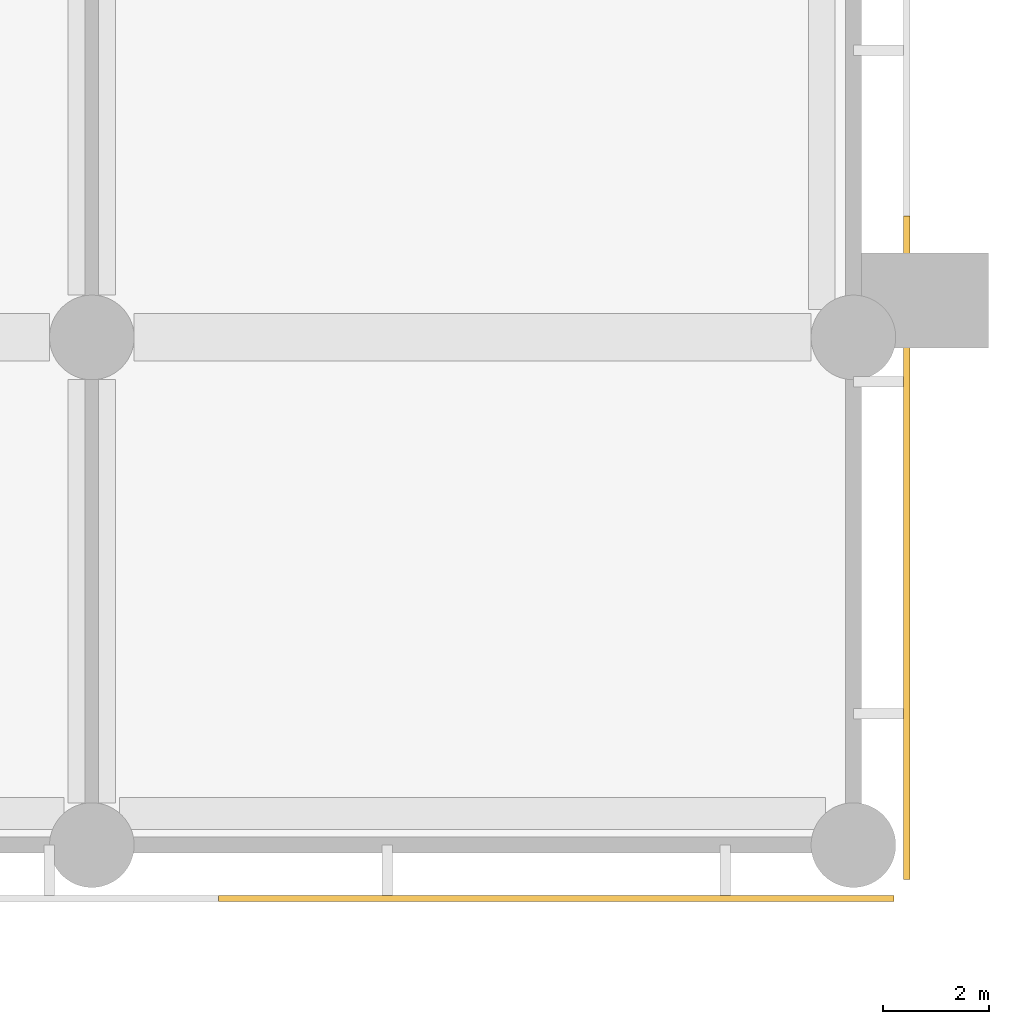
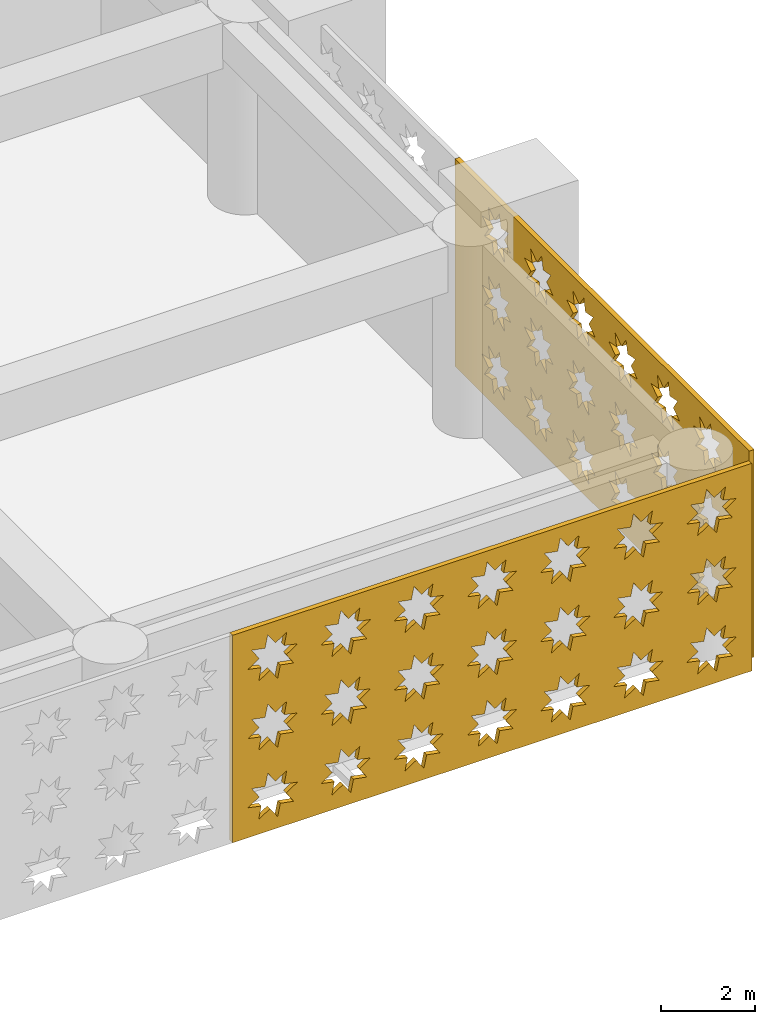
# One storey, part 20 of 30: 2 coverings.
"""IFC4 building model written with IfcOpenShell, lengths in metres."""

import ifcopenshell
import ifcopenshell.guid

model = None  # the IFC model being written
_history = None  # IfcOwnerHistory: only IFC2X3 demands one
_inside = {}  # id of a spatial element -> (the spatial element, [elements in it])
_under = {}  # id of a project, library or spatial element -> (it, [spatial elements below it])
_declared = {}  # id of a project -> (the project, [libraries it declares])
_typed = {}  # id of a type object -> (the type object, [elements of that type])
_made_of = {}  # id of a material, layer set ... -> (it, [elements and type objects made of it])


def new_model(schema):
    """Start an empty IFC model of exactly this schema.

    Asked for "IFC4X3", IfcOpenShell would pick the latest addendum, in which some entities
    have other attributes; the version numbers below select the first issue.
    IFC2X3 requires an IfcOwnerHistory on every rooted entity: one is made here for all.
    """
    global model, _history
    if schema == "IFC4X3":
        model = ifcopenshell.file(schema_version=(4, 3, 0, 0))
    else:
        model = ifcopenshell.file(schema=schema)
    _inside.clear()
    _under.clear()
    _declared.clear()
    _typed.clear()
    _made_of.clear()
    _history = None
    if model.schema == "IFC2X3":
        org = make("IfcOrganization", Name="unknown")
        user = make(
            "IfcPersonAndOrganization",
            ThePerson=make("IfcPerson", FamilyName="unknown"),
            TheOrganization=org,
        )
        app = make(
            "IfcApplication",
            ApplicationDeveloper=org,
            Version="unknown",
            ApplicationFullName="unknown",
            ApplicationIdentifier="unknown",
        )
        _history = make(
            "IfcOwnerHistory",
            OwningUser=user,
            OwningApplication=app,
            ChangeAction="ADDED",
            CreationDate=0,
        )
    return model


def make(cls, **values):
    """One entity of the class cls with the attributes given. An attribute that is None is left unset."""
    return model.create_entity(
        cls, **{name: value for name, value in values.items() if value is not None}
    )


def rooted(cls, **values):
    """An entity with a GlobalId (a new one), such as an element, a storey or a relation."""
    return make(cls, GlobalId=ifcopenshell.guid.new(), OwnerHistory=_history, **values)


def si_unit(unit_type, name, prefix=None):
    """IfcSIUnit, for example si_unit("LENGTHUNIT", "METRE", prefix="MILLI")."""
    return make("IfcSIUnit", UnitType=unit_type, Prefix=prefix, Name=name)


def assignment(units):
    """IfcUnitAssignment: the units of a project."""
    return None if units is None else make("IfcUnitAssignment", Units=units)


def point(xyz):
    """IfcCartesianPoint."""
    return None if xyz is None else make("IfcCartesianPoint", Coordinates=xyz)


def direction(xyz):
    """IfcDirection."""
    return None if xyz is None else make("IfcDirection", DirectionRatios=xyz)


def frame(location, z_axis=None, x_axis=None):
    """IfcAxis2Placement3D, a coordinate frame: its origin and axes. An axis left out is left unset."""
    return make(
        "IfcAxis2Placement3D",
        Location=point(location),
        Axis=direction(z_axis),
        RefDirection=direction(x_axis),
    )


def origin():
    """The frame at (0, 0, 0) with its axes left unset."""
    return frame((0.0, 0.0, 0.0))


def place(relative_to, where):
    """IfcLocalPlacement: puts the frame where relative to a parent placement (None: the world)."""
    return make(
        "IfcLocalPlacement", PlacementRelTo=relative_to, RelativePlacement=where
    )


def context(
    kind, dimensions, precision=None, world=None, true_north=None, identifier=None
):
    """IfcGeometricRepresentationContext, for example the 3D "Model" context."""
    return make(
        "IfcGeometricRepresentationContext",
        ContextIdentifier=identifier,
        ContextType=kind,
        CoordinateSpaceDimension=dimensions,
        Precision=precision,
        WorldCoordinateSystem=world,
        TrueNorth=true_north,
    )


def subcontext(parent, identifier, kind, view, scale=None):
    """IfcGeometricRepresentationSubContext, for example "Body" below "Model"."""
    return make(
        "IfcGeometricRepresentationSubContext",
        ContextIdentifier=identifier,
        ContextType=kind,
        ParentContext=parent,
        TargetScale=scale,
        TargetView=view,
    )


def project(units=None, contexts=None):
    """IfcProject with its units and contexts."""
    return rooted(
        "IfcProject",
        Name="project",
        RepresentationContexts=contexts,
        UnitsInContext=assignment(units),
    )


def spatial(cls, under=None, at=None, **own):
    """A site, building, storey or space (cls), placed at a placement, below another one or the project."""
    s = rooted(cls, ObjectPlacement=at, **own)
    if under is not None:
        _under.setdefault(under.id(), (under, []))[1].append(s)
    return s


def polyline(points):
    """IfcPolyline through the points."""
    return make("IfcPolyline", Points=[point(p) for p in points])


def outline(outer, holes=None, kind="AREA"):
    """IfcArbitraryClosedProfileDef: a profile drawn as a closed curve; with holes, ...WithVoids."""
    if holes is None:
        return make("IfcArbitraryClosedProfileDef", ProfileType=kind, OuterCurve=outer)
    return make(
        "IfcArbitraryProfileDefWithVoids",
        ProfileType=kind,
        OuterCurve=outer,
        InnerCurves=holes,
    )


def extrude(swept, where, along, depth):
    """IfcExtrudedAreaSolid: the profile swept, set in the frame where, extruded along a direction by depth."""
    return make(
        "IfcExtrudedAreaSolid",
        SweptArea=swept,
        Position=where,
        ExtrudedDirection=direction(along),
        Depth=depth,
    )


def shape(context_of_items, identifier, shape_type, items):
    """IfcShapeRepresentation: the items that make up one representation, for example the "Body"."""
    return make(
        "IfcShapeRepresentation",
        ContextOfItems=context_of_items,
        RepresentationIdentifier=identifier,
        RepresentationType=shape_type,
        Items=items,
    )


def material(Name=None, Category=None):
    """IfcMaterial."""
    return make("IfcMaterial", Name=Name, Category=Category)


def layer(
    of_material, thickness, ventilated=None, Name=None, Category=None, Priority=None
):
    """IfcMaterialLayer: one layer of a wall or slab, of a material (None: an air gap)."""
    return make(
        "IfcMaterialLayer",
        Material=of_material,
        LayerThickness=thickness,
        IsVentilated=ventilated,
        Name=Name,
        Category=Category,
        Priority=Priority,
    )


def layer_set(layers, Name=None):
    """IfcMaterialLayerSet."""
    return make("IfcMaterialLayerSet", MaterialLayers=layers, LayerSetName=Name)


def made_of(thing, what):
    """Note that an element or type object is made of a material, layer set ...; save() writes the relation."""
    if what is not None:
        _made_of.setdefault(what.id(), (what, []))[1].append(thing)
    return thing


def type_object(cls, material=None, **own):
    """A type object (cls), such as IfcWallType, which elements share."""
    return made_of(rooted(cls, **own), material)


def element(
    cls,
    number,
    at=None,
    inside=None,
    cuts=None,
    type_object=None,
    material=None,
    context=None,
    identifier="Body",
    shape_type=None,
    held_by="IfcProductDefinitionShape",
    body=None,
    shapes=None,
    **own,
):
    """One element of the class cls, such as IfcWall. Its Tag is "e" and its number.

    at: its placement. inside: the storey or other place that contains it. cuts: it is an
    opening in that element (IfcRelVoidsElement). A single representation is given by context,
    identifier, shape_type and body (its items); several are given by shapes. held_by: the class
    of the entity that holds the representations. save() writes the other relations.
    """
    e = rooted(cls, Tag="e%d" % number, ObjectPlacement=at, **own)
    if body is not None:
        shapes = [shape(context, identifier, shape_type, body)]
    if shapes is not None:
        e.Representation = make(held_by, Representations=shapes)
    if inside is not None:
        _inside.setdefault(inside.id(), (inside, []))[1].append(e)
    if cuts is not None:
        rooted(
            "IfcRelVoidsElement", RelatingBuildingElement=cuts, RelatedOpeningElement=e
        )
    if type_object is not None:
        _typed.setdefault(type_object.id(), (type_object, []))[1].append(e)
    return made_of(e, material)


def aggregate(whole, parts):
    """IfcRelAggregates: a whole, such as a stair, and the parts it consists of."""
    return rooted("IfcRelAggregates", RelatingObject=whole, RelatedObjects=parts)


def save(model, path):
    """Write the relations noted so far, then the file.

    IfcRelAggregates (storeys below a building ...), IfcRelContainedInSpatialStructure (elements
    in a storey), IfcRelDefinesByType, IfcRelAssociatesMaterial and IfcRelDeclares: one each for
    every whole, place, type object, material and project.
    """
    for whole, parts in _under.values():
        aggregate(whole, parts)
    for where, things in _inside.values():
        rooted(
            "IfcRelContainedInSpatialStructure",
            RelatedElements=things,
            RelatingStructure=where,
        )
    for kind, things in _typed.values():
        rooted("IfcRelDefinesByType", RelatedObjects=things, RelatingType=kind)
    for what, things in _made_of.values():
        rooted("IfcRelAssociatesMaterial", RelatedObjects=things, RelatingMaterial=what)
    for by, libraries in _declared.values():
        rooted("IfcRelDeclares", RelatingContext=by, RelatedDefinitions=libraries)
    model.write(path)


model = new_model("IFC4")

# Units and contexts
model_context = context("Model", 3, precision=1e-05, world=origin(), true_north=direction((0.0, 1.0)))
body_context = subcontext(model_context, "Body", "Model", "MODEL_VIEW")
ifc_project = project(units=[si_unit("LENGTHUNIT", "METRE"), si_unit("AREAUNIT", "SQUARE_METRE"), si_unit("VOLUMEUNIT", "CUBIC_METRE"), si_unit("PLANEANGLEUNIT", "RADIAN"), si_unit("MASSUNIT", "GRAM", prefix="KILO")], contexts=[model_context])

# Site, building, storey
site_placement = place(None, origin())
site = spatial("IfcSite", under=ifc_project, at=site_placement, CompositionType="ELEMENT")
building_placement = place(site_placement, origin())
building = spatial("IfcBuilding", under=site, at=building_placement, Name="Saffron Iwan Residences", CompositionType="ELEMENT")
storey_placement = place(building_placement, frame((0.0, 0.0, 7.800048828125)))
storey = spatial("IfcBuildingStorey", under=building, at=storey_placement, Name="L01", CompositionType="ELEMENT", Elevation=7.800048828125)

# Coverings
ifc_material = material(Name="Terracotta screen, precast concrete C40/50", Category="masonry")
ifc_layer = layer(ifc_material, 0.1201171875)
ifc_layer_set = layer_set([ifc_layer], Name="Terracotta screen, precast concrete C40/50")
covering_type = type_object("IfcCoveringType", Name="PODIUM SCREEN GIRIH", PredefinedType="CLADDING", material=ifc_layer_set)
covering_1_placement = place(storey_placement, frame((88.79248046875, -0.949951171875, -0.400146484375), z_axis=(0.0, -1.0, 0.0), x_axis=(1.0, 0.0, 0.0)))
element("IfcCovering", 1, at=covering_1_placement, inside=storey, type_object=covering_type, Name="SCREEN girih terracotta L01 F0.7", PredefinedType="CLADDING", context=body_context, shape_type="SweptSolid", body=[
    extrude(outline(polyline([(0.0, 0.0), (12.777587890625, 0.0), (12.777587890625, 5.39990234375), (0.0, 5.39990234375), (0.0, 0.0)]), holes=[polyline([(1.5966796875, 1.02099609375), (1.271484375, 1.0888671875), (1.333251953125, 1.41552734375), (1.05517578125, 1.2333984375), (0.867919921875, 1.508056640625), (0.7998046875, 1.1826171875), (0.47314453125, 1.244384765625), (0.6552734375, 0.96630859375), (0.380615234375, 0.779052734375), (0.7060546875, 0.711181640625), (0.644287109375, 0.384521484375), (0.92236328125, 0.56640625), (1.109619140625, 0.2919921875), (1.177490234375, 0.6171875), (1.50439453125, 0.555419921875), (1.322265625, 0.833740234375), (1.5966796875, 1.02099609375)]), polyline([(1.5966796875, 2.821044921875), (1.271484375, 2.888916015625), (1.333251953125, 3.215576171875), (1.05517578125, 3.033447265625), (0.867919921875, 3.30810546875), (0.7998046875, 2.982666015625), (0.47314453125, 3.04443359375), (0.6552734375, 2.766357421875), (0.380615234375, 2.5791015625), (0.7060546875, 2.510986328125), (0.644287109375, 2.1845703125), (0.92236328125, 2.366455078125), (1.109619140625, 2.091796875), (1.177490234375, 2.417236328125), (1.50439453125, 2.35546875), (1.322265625, 2.6337890625), (1.5966796875, 2.821044921875)]), polyline([(1.5966796875, 4.62109375), (1.271484375, 4.68896484375), (1.333251953125, 5.015380859375), (1.05517578125, 4.83349609375), (0.867919921875, 5.108154296875), (0.7998046875, 4.78271484375), (0.47314453125, 4.844482421875), (0.6552734375, 4.56640625), (0.380615234375, 4.37890625), (0.7060546875, 4.31103515625), (0.644287109375, 3.984619140625), (0.92236328125, 4.16650390625), (1.109619140625, 3.891845703125), (1.177490234375, 4.21728515625), (1.50439453125, 4.155517578125), (1.322265625, 4.43359375), (1.5966796875, 4.62109375)]), polyline([(3.396728515625, 1.02099609375), (3.0712890625, 1.0888671875), (3.13330078125, 1.41552734375), (2.85498046875, 1.2333984375), (2.667724609375, 1.508056640625), (2.599853515625, 1.1826171875), (2.273193359375, 1.244384765625), (2.455322265625, 0.96630859375), (2.1806640625, 0.779052734375), (2.506103515625, 0.711181640625), (2.4443359375, 0.384521484375), (2.722412109375, 0.56640625), (2.90966796875, 0.2919921875), (2.9775390625, 0.6171875), (3.30419921875, 0.555419921875), (3.122314453125, 0.833740234375), (3.396728515625, 1.02099609375)]), polyline([(3.396728515625, 2.821044921875), (3.0712890625, 2.888916015625), (3.13330078125, 3.215576171875), (2.85498046875, 3.033447265625), (2.667724609375, 3.30810546875), (2.599853515625, 2.982666015625), (2.273193359375, 3.04443359375), (2.455322265625, 2.766357421875), (2.1806640625, 2.5791015625), (2.506103515625, 2.510986328125), (2.4443359375, 2.1845703125), (2.722412109375, 2.366455078125), (2.90966796875, 2.091796875), (2.9775390625, 2.417236328125), (3.30419921875, 2.35546875), (3.122314453125, 2.6337890625), (3.396728515625, 2.821044921875)]), polyline([(3.396728515625, 4.62109375), (3.0712890625, 4.68896484375), (3.13330078125, 5.015380859375), (2.85498046875, 4.83349609375), (2.667724609375, 5.108154296875), (2.599853515625, 4.78271484375), (2.273193359375, 4.844482421875), (2.455322265625, 4.56640625), (2.1806640625, 4.37890625), (2.506103515625, 4.31103515625), (2.4443359375, 3.984619140625), (2.722412109375, 4.16650390625), (2.90966796875, 3.891845703125), (2.9775390625, 4.21728515625), (3.30419921875, 4.155517578125), (3.122314453125, 4.43359375), (3.396728515625, 4.62109375)]), polyline([(5.19677734375, 1.02099609375), (4.871337890625, 1.0888671875), (4.93310546875, 1.41552734375), (4.655029296875, 1.2333984375), (4.4677734375, 1.508056640625), (4.39990234375, 1.1826171875), (4.0732421875, 1.244384765625), (4.25537109375, 0.96630859375), (3.980712890625, 0.779052734375), (4.30615234375, 0.711181640625), (4.244384765625, 0.384521484375), (4.5224609375, 0.56640625), (4.709716796875, 0.2919921875), (4.777587890625, 0.6171875), (5.104248046875, 0.555419921875), (4.922119140625, 0.833740234375), (5.19677734375, 1.02099609375)]), polyline([(5.19677734375, 2.821044921875), (4.871337890625, 2.888916015625), (4.93310546875, 3.215576171875), (4.655029296875, 3.033447265625), (4.4677734375, 3.30810546875), (4.39990234375, 2.982666015625), (4.0732421875, 3.04443359375), (4.25537109375, 2.766357421875), (3.980712890625, 2.5791015625), (4.30615234375, 2.510986328125), (4.244384765625, 2.1845703125), (4.5224609375, 2.366455078125), (4.709716796875, 2.091796875), (4.777587890625, 2.417236328125), (5.104248046875, 2.35546875), (4.922119140625, 2.6337890625), (5.19677734375, 2.821044921875)]), polyline([(5.19677734375, 4.62109375), (4.871337890625, 4.68896484375), (4.93310546875, 5.015380859375), (4.655029296875, 4.83349609375), (4.4677734375, 5.108154296875), (4.39990234375, 4.78271484375), (4.0732421875, 4.844482421875), (4.25537109375, 4.56640625), (3.980712890625, 4.37890625), (4.30615234375, 4.31103515625), (4.244384765625, 3.984619140625), (4.5224609375, 4.16650390625), (4.709716796875, 3.891845703125), (4.777587890625, 4.21728515625), (5.104248046875, 4.155517578125), (4.922119140625, 4.43359375), (5.19677734375, 4.62109375)]), polyline([(6.996826171875, 1.02099609375), (6.67138671875, 1.0888671875), (6.733154296875, 1.41552734375), (6.455078125, 1.2333984375), (6.267822265625, 1.508056640625), (6.199951171875, 1.1826171875), (5.873291015625, 1.244384765625), (6.055419921875, 0.96630859375), (5.78076171875, 0.779052734375), (6.106201171875, 0.711181640625), (6.044189453125, 0.384521484375), (6.322509765625, 0.56640625), (6.509765625, 0.2919921875), (6.57763671875, 0.6171875), (6.904296875, 0.555419921875), (6.72216796875, 0.833740234375), (6.996826171875, 1.02099609375)]), polyline([(6.996826171875, 2.821044921875), (6.67138671875, 2.888916015625), (6.733154296875, 3.215576171875), (6.455078125, 3.033447265625), (6.267822265625, 3.30810546875), (6.199951171875, 2.982666015625), (5.873291015625, 3.04443359375), (6.055419921875, 2.766357421875), (5.78076171875, 2.5791015625), (6.106201171875, 2.510986328125), (6.044189453125, 2.1845703125), (6.322509765625, 2.366455078125), (6.509765625, 2.091796875), (6.57763671875, 2.417236328125), (6.904296875, 2.35546875), (6.72216796875, 2.6337890625), (6.996826171875, 2.821044921875)]), polyline([(6.996826171875, 4.62109375), (6.67138671875, 4.68896484375), (6.733154296875, 5.015380859375), (6.455078125, 4.83349609375), (6.267822265625, 5.108154296875), (6.199951171875, 4.78271484375), (5.873291015625, 4.844482421875), (6.055419921875, 4.56640625), (5.78076171875, 4.37890625), (6.106201171875, 4.31103515625), (6.044189453125, 3.984619140625), (6.322509765625, 4.16650390625), (6.509765625, 3.891845703125), (6.57763671875, 4.21728515625), (6.904296875, 4.155517578125), (6.72216796875, 4.43359375), (6.996826171875, 4.62109375)]), polyline([(8.796875, 1.02099609375), (8.471435546875, 1.0888671875), (8.533203125, 1.41552734375), (8.255126953125, 1.2333984375), (8.06787109375, 1.508056640625), (8.0, 1.1826171875), (7.673095703125, 1.244384765625), (7.855224609375, 0.96630859375), (7.580810546875, 0.779052734375), (7.906005859375, 0.711181640625), (7.84423828125, 0.384521484375), (8.122314453125, 0.56640625), (8.309814453125, 0.2919921875), (8.377685546875, 0.6171875), (8.704345703125, 0.555419921875), (8.522216796875, 0.833740234375), (8.796875, 1.02099609375)]), polyline([(8.796875, 2.821044921875), (8.471435546875, 2.888916015625), (8.533203125, 3.215576171875), (8.255126953125, 3.033447265625), (8.06787109375, 3.30810546875), (8.0, 2.982666015625), (7.673095703125, 3.04443359375), (7.855224609375, 2.766357421875), (7.580810546875, 2.5791015625), (7.906005859375, 2.510986328125), (7.84423828125, 2.1845703125), (8.122314453125, 2.366455078125), (8.309814453125, 2.091796875), (8.377685546875, 2.417236328125), (8.704345703125, 2.35546875), (8.522216796875, 2.6337890625), (8.796875, 2.821044921875)]), polyline([(8.796875, 4.62109375), (8.471435546875, 4.68896484375), (8.533203125, 5.015380859375), (8.255126953125, 4.83349609375), (8.06787109375, 5.108154296875), (8.0, 4.78271484375), (7.673095703125, 4.844482421875), (7.855224609375, 4.56640625), (7.580810546875, 4.37890625), (7.906005859375, 4.31103515625), (7.84423828125, 3.984619140625), (8.122314453125, 4.16650390625), (8.309814453125, 3.891845703125), (8.377685546875, 4.21728515625), (8.704345703125, 4.155517578125), (8.522216796875, 4.43359375), (8.796875, 4.62109375)]), polyline([(10.5966796875, 1.02099609375), (10.271484375, 1.0888671875), (10.333251953125, 1.41552734375), (10.05517578125, 1.2333984375), (9.867919921875, 1.508056640625), (9.7998046875, 1.1826171875), (9.47314453125, 1.244384765625), (9.6552734375, 0.96630859375), (9.380615234375, 0.779052734375), (9.7060546875, 0.711181640625), (9.644287109375, 0.384521484375), (9.92236328125, 0.56640625), (10.109619140625, 0.2919921875), (10.177490234375, 0.6171875), (10.50439453125, 0.555419921875), (10.322265625, 0.833740234375), (10.5966796875, 1.02099609375)]), polyline([(10.5966796875, 2.821044921875), (10.271484375, 2.888916015625), (10.333251953125, 3.215576171875), (10.05517578125, 3.033447265625), (9.867919921875, 3.30810546875), (9.7998046875, 2.982666015625), (9.47314453125, 3.04443359375), (9.6552734375, 2.766357421875), (9.380615234375, 2.5791015625), (9.7060546875, 2.510986328125), (9.644287109375, 2.1845703125), (9.92236328125, 2.366455078125), (10.109619140625, 2.091796875), (10.177490234375, 2.417236328125), (10.50439453125, 2.35546875), (10.322265625, 2.6337890625), (10.5966796875, 2.821044921875)]), polyline([(10.5966796875, 4.62109375), (10.271484375, 4.68896484375), (10.333251953125, 5.015380859375), (10.05517578125, 4.83349609375), (9.867919921875, 5.108154296875), (9.7998046875, 4.78271484375), (9.47314453125, 4.844482421875), (9.6552734375, 4.56640625), (9.380615234375, 4.37890625), (9.7060546875, 4.31103515625), (9.644287109375, 3.984619140625), (9.92236328125, 4.16650390625), (10.109619140625, 3.891845703125), (10.177490234375, 4.21728515625), (10.50439453125, 4.155517578125), (10.322265625, 4.43359375), (10.5966796875, 4.62109375)]), polyline([(12.396728515625, 1.02099609375), (12.0712890625, 1.0888671875), (12.13330078125, 1.41552734375), (11.85498046875, 1.2333984375), (11.667724609375, 1.508056640625), (11.599853515625, 1.1826171875), (11.273193359375, 1.244384765625), (11.455322265625, 0.96630859375), (11.1806640625, 0.779052734375), (11.506103515625, 0.711181640625), (11.4443359375, 0.384521484375), (11.722412109375, 0.56640625), (11.90966796875, 0.2919921875), (11.9775390625, 0.6171875), (12.30419921875, 0.555419921875), (12.122314453125, 0.833740234375), (12.396728515625, 1.02099609375)]), polyline([(12.396728515625, 2.821044921875), (12.0712890625, 2.888916015625), (12.13330078125, 3.215576171875), (11.85498046875, 3.033447265625), (11.667724609375, 3.30810546875), (11.599853515625, 2.982666015625), (11.273193359375, 3.04443359375), (11.455322265625, 2.766357421875), (11.1806640625, 2.5791015625), (11.506103515625, 2.510986328125), (11.4443359375, 2.1845703125), (11.722412109375, 2.366455078125), (11.90966796875, 2.091796875), (11.9775390625, 2.417236328125), (12.30419921875, 2.35546875), (12.122314453125, 2.6337890625), (12.396728515625, 2.821044921875)]), polyline([(12.396728515625, 4.62109375), (12.0712890625, 4.68896484375), (12.13330078125, 5.015380859375), (11.85498046875, 4.83349609375), (11.667724609375, 5.108154296875), (11.599853515625, 4.78271484375), (11.273193359375, 4.844482421875), (11.455322265625, 4.56640625), (11.1806640625, 4.37890625), (11.506103515625, 4.31103515625), (11.4443359375, 3.984619140625), (11.722412109375, 4.16650390625), (11.90966796875, 3.891845703125), (11.9775390625, 4.21728515625), (12.30419921875, 4.155517578125), (12.122314453125, 4.43359375), (12.396728515625, 4.62109375)])]), origin(), (0.0, 0.0, 1.0), 0.1201171875),
])
covering_2_placement = place(storey_placement, frame((101.75, -0.64990234375, -0.400146484375), z_axis=(1.0, 0.0, 0.0), x_axis=(0.0, 1.0, 0.0)))
element("IfcCovering", 2, at=covering_2_placement, inside=storey, type_object=covering_type, Name="SCREEN girih terracotta L01 F1.0", PredefinedType="CLADDING", context=body_context, shape_type="SweptSolid", body=[
    extrude(outline(polyline([(0.0, 0.0), (12.545654296875, 0.0), (12.545654296875, 5.39990234375), (0.0, 5.39990234375), (0.0, 0.0)]), holes=[polyline([(2.380859375, 1.02099609375), (2.0556640625, 1.0888671875), (2.1171875, 1.41552734375), (1.839111328125, 1.2333984375), (1.65185546875, 1.508056640625), (1.583984375, 1.1826171875), (1.25732421875, 1.244384765625), (1.439453125, 0.96630859375), (1.164794921875, 0.779052734375), (1.490234375, 0.711181640625), (1.428466796875, 0.384521484375), (1.70654296875, 0.56640625), (1.893798828125, 0.2919921875), (1.9619140625, 0.6171875), (2.288330078125, 0.555419921875), (2.106201171875, 0.833740234375), (2.380859375, 1.02099609375)]), polyline([(2.380859375, 2.821044921875), (2.0556640625, 2.888916015625), (2.1171875, 3.215576171875), (1.839111328125, 3.033447265625), (1.65185546875, 3.30810546875), (1.583984375, 2.982666015625), (1.25732421875, 3.04443359375), (1.439453125, 2.766357421875), (1.164794921875, 2.5791015625), (1.490234375, 2.510986328125), (1.428466796875, 2.1845703125), (1.70654296875, 2.366455078125), (1.893798828125, 2.091796875), (1.9619140625, 2.417236328125), (2.288330078125, 2.35546875), (2.106201171875, 2.6337890625), (2.380859375, 2.821044921875)]), polyline([(2.380859375, 4.62109375), (2.0556640625, 4.68896484375), (2.1171875, 5.015380859375), (1.839111328125, 4.83349609375), (1.65185546875, 5.108154296875), (1.583984375, 4.78271484375), (1.25732421875, 4.844482421875), (1.439453125, 4.56640625), (1.164794921875, 4.37890625), (1.490234375, 4.31103515625), (1.428466796875, 3.984619140625), (1.70654296875, 4.16650390625), (1.893798828125, 3.891845703125), (1.9619140625, 4.21728515625), (2.288330078125, 4.155517578125), (2.106201171875, 4.43359375), (2.380859375, 4.62109375)]), polyline([(4.180908203125, 1.02099609375), (3.855712890625, 1.0888671875), (3.917236328125, 1.41552734375), (3.63916015625, 1.2333984375), (3.451904296875, 1.508056640625), (3.384033203125, 1.1826171875), (3.057373046875, 1.244384765625), (3.239501953125, 0.96630859375), (2.96484375, 0.779052734375), (3.290283203125, 0.711181640625), (3.228515625, 0.384521484375), (3.506591796875, 0.56640625), (3.69384765625, 0.2919921875), (3.76171875, 0.6171875), (4.08837890625, 0.555419921875), (3.90625, 0.833740234375), (4.180908203125, 1.02099609375)]), polyline([(4.180908203125, 2.821044921875), (3.855712890625, 2.888916015625), (3.917236328125, 3.215576171875), (3.63916015625, 3.033447265625), (3.451904296875, 3.30810546875), (3.384033203125, 2.982666015625), (3.057373046875, 3.04443359375), (3.239501953125, 2.766357421875), (2.96484375, 2.5791015625), (3.290283203125, 2.510986328125), (3.228515625, 2.1845703125), (3.506591796875, 2.366455078125), (3.69384765625, 2.091796875), (3.76171875, 2.417236328125), (4.08837890625, 2.35546875), (3.90625, 2.6337890625), (4.180908203125, 2.821044921875)]), polyline([(4.180908203125, 4.62109375), (3.855712890625, 4.68896484375), (3.917236328125, 5.015380859375), (3.63916015625, 4.83349609375), (3.451904296875, 5.108154296875), (3.384033203125, 4.78271484375), (3.057373046875, 4.844482421875), (3.239501953125, 4.56640625), (2.96484375, 4.37890625), (3.290283203125, 4.31103515625), (3.228515625, 3.984619140625), (3.506591796875, 4.16650390625), (3.69384765625, 3.891845703125), (3.76171875, 4.21728515625), (4.08837890625, 4.155517578125), (3.90625, 4.43359375), (4.180908203125, 4.62109375)]), polyline([(5.98095703125, 1.02099609375), (5.655517578125, 1.0888671875), (5.71728515625, 1.41552734375), (5.439208984375, 1.2333984375), (5.251953125, 1.508056640625), (5.18408203125, 1.1826171875), (4.857421875, 1.244384765625), (5.039306640625, 0.96630859375), (4.764892578125, 0.779052734375), (5.090087890625, 0.711181640625), (5.0283203125, 0.384521484375), (5.306396484375, 0.56640625), (5.493896484375, 0.2919921875), (5.561767578125, 0.6171875), (5.888427734375, 0.555419921875), (5.706298828125, 0.833740234375), (5.98095703125, 1.02099609375)]), polyline([(5.98095703125, 2.821044921875), (5.655517578125, 2.888916015625), (5.71728515625, 3.215576171875), (5.439208984375, 3.033447265625), (5.251953125, 3.30810546875), (5.18408203125, 2.982666015625), (4.857421875, 3.04443359375), (5.039306640625, 2.766357421875), (4.764892578125, 2.5791015625), (5.090087890625, 2.510986328125), (5.0283203125, 2.1845703125), (5.306396484375, 2.366455078125), (5.493896484375, 2.091796875), (5.561767578125, 2.417236328125), (5.888427734375, 2.35546875), (5.706298828125, 2.6337890625), (5.98095703125, 2.821044921875)]), polyline([(5.98095703125, 4.62109375), (5.655517578125, 4.68896484375), (5.71728515625, 5.015380859375), (5.439208984375, 4.83349609375), (5.251953125, 5.108154296875), (5.18408203125, 4.78271484375), (4.857421875, 4.844482421875), (5.039306640625, 4.56640625), (4.764892578125, 4.37890625), (5.090087890625, 4.31103515625), (5.0283203125, 3.984619140625), (5.306396484375, 4.16650390625), (5.493896484375, 3.891845703125), (5.561767578125, 4.21728515625), (5.888427734375, 4.155517578125), (5.706298828125, 4.43359375), (5.98095703125, 4.62109375)]), polyline([(7.781005859375, 1.02099609375), (7.45556640625, 1.0888671875), (7.517333984375, 1.41552734375), (7.2392578125, 1.2333984375), (7.052001953125, 1.508056640625), (6.98388671875, 1.1826171875), (6.6572265625, 1.244384765625), (6.83935546875, 0.96630859375), (6.564697265625, 0.779052734375), (6.89013671875, 0.711181640625), (6.828369140625, 0.384521484375), (7.1064453125, 0.56640625), (7.293701171875, 0.2919921875), (7.36181640625, 0.6171875), (7.6884765625, 0.555419921875), (7.50634765625, 0.833740234375), (7.781005859375, 1.02099609375)]), polyline([(7.781005859375, 2.821044921875), (7.45556640625, 2.888916015625), (7.517333984375, 3.215576171875), (7.2392578125, 3.033447265625), (7.052001953125, 3.30810546875), (6.98388671875, 2.982666015625), (6.6572265625, 3.04443359375), (6.83935546875, 2.766357421875), (6.564697265625, 2.5791015625), (6.89013671875, 2.510986328125), (6.828369140625, 2.1845703125), (7.1064453125, 2.366455078125), (7.293701171875, 2.091796875), (7.36181640625, 2.417236328125), (7.6884765625, 2.35546875), (7.50634765625, 2.6337890625), (7.781005859375, 2.821044921875)]), polyline([(7.781005859375, 4.62109375), (7.45556640625, 4.68896484375), (7.517333984375, 5.015380859375), (7.2392578125, 4.83349609375), (7.052001953125, 5.108154296875), (6.98388671875, 4.78271484375), (6.6572265625, 4.844482421875), (6.83935546875, 4.56640625), (6.564697265625, 4.37890625), (6.89013671875, 4.31103515625), (6.828369140625, 3.984619140625), (7.1064453125, 4.16650390625), (7.293701171875, 3.891845703125), (7.36181640625, 4.21728515625), (7.6884765625, 4.155517578125), (7.50634765625, 4.43359375), (7.781005859375, 4.62109375)]), polyline([(9.580810546875, 1.02099609375), (9.255615234375, 1.0888671875), (9.3173828125, 1.41552734375), (9.039306640625, 1.2333984375), (8.851806640625, 1.508056640625), (8.783935546875, 1.1826171875), (8.457275390625, 1.244384765625), (8.639404296875, 0.96630859375), (8.36474609375, 0.779052734375), (8.690185546875, 0.711181640625), (8.62841796875, 0.384521484375), (8.906494140625, 0.56640625), (9.09375, 0.2919921875), (9.161865234375, 0.6171875), (9.48828125, 0.555419921875), (9.306396484375, 0.833740234375), (9.580810546875, 1.02099609375)]), polyline([(9.580810546875, 2.821044921875), (9.255615234375, 2.888916015625), (9.3173828125, 3.215576171875), (9.039306640625, 3.033447265625), (8.851806640625, 3.30810546875), (8.783935546875, 2.982666015625), (8.457275390625, 3.04443359375), (8.639404296875, 2.766357421875), (8.36474609375, 2.5791015625), (8.690185546875, 2.510986328125), (8.62841796875, 2.1845703125), (8.906494140625, 2.366455078125), (9.09375, 2.091796875), (9.161865234375, 2.417236328125), (9.48828125, 2.35546875), (9.306396484375, 2.6337890625), (9.580810546875, 2.821044921875)]), polyline([(9.580810546875, 4.62109375), (9.255615234375, 4.68896484375), (9.3173828125, 5.015380859375), (9.039306640625, 4.83349609375), (8.851806640625, 5.108154296875), (8.783935546875, 4.78271484375), (8.457275390625, 4.844482421875), (8.639404296875, 4.56640625), (8.36474609375, 4.37890625), (8.690185546875, 4.31103515625), (8.62841796875, 3.984619140625), (8.906494140625, 4.16650390625), (9.09375, 3.891845703125), (9.161865234375, 4.21728515625), (9.48828125, 4.155517578125), (9.306396484375, 4.43359375), (9.580810546875, 4.62109375)]), polyline([(11.380859375, 1.02099609375), (11.0556640625, 1.0888671875), (11.1171875, 1.41552734375), (10.839111328125, 1.2333984375), (10.65185546875, 1.508056640625), (10.583984375, 1.1826171875), (10.25732421875, 1.244384765625), (10.439453125, 0.96630859375), (10.164794921875, 0.779052734375), (10.490234375, 0.711181640625), (10.428466796875, 0.384521484375), (10.70654296875, 0.56640625), (10.893798828125, 0.2919921875), (10.9619140625, 0.6171875), (11.288330078125, 0.555419921875), (11.106201171875, 0.833740234375), (11.380859375, 1.02099609375)]), polyline([(11.380859375, 2.821044921875), (11.0556640625, 2.888916015625), (11.1171875, 3.215576171875), (10.839111328125, 3.033447265625), (10.65185546875, 3.30810546875), (10.583984375, 2.982666015625), (10.25732421875, 3.04443359375), (10.439453125, 2.766357421875), (10.164794921875, 2.5791015625), (10.490234375, 2.510986328125), (10.428466796875, 2.1845703125), (10.70654296875, 2.366455078125), (10.893798828125, 2.091796875), (10.9619140625, 2.417236328125), (11.288330078125, 2.35546875), (11.106201171875, 2.6337890625), (11.380859375, 2.821044921875)]), polyline([(11.380859375, 4.62109375), (11.0556640625, 4.68896484375), (11.1171875, 5.015380859375), (10.839111328125, 4.83349609375), (10.65185546875, 5.108154296875), (10.583984375, 4.78271484375), (10.25732421875, 4.844482421875), (10.439453125, 4.56640625), (10.164794921875, 4.37890625), (10.490234375, 4.31103515625), (10.428466796875, 3.984619140625), (10.70654296875, 4.16650390625), (10.893798828125, 3.891845703125), (10.9619140625, 4.21728515625), (11.288330078125, 4.155517578125), (11.106201171875, 4.43359375), (11.380859375, 4.62109375)])]), origin(), (0.0, 0.0, 1.0), 0.1201171875),
])

save(model, "model.ifc")
